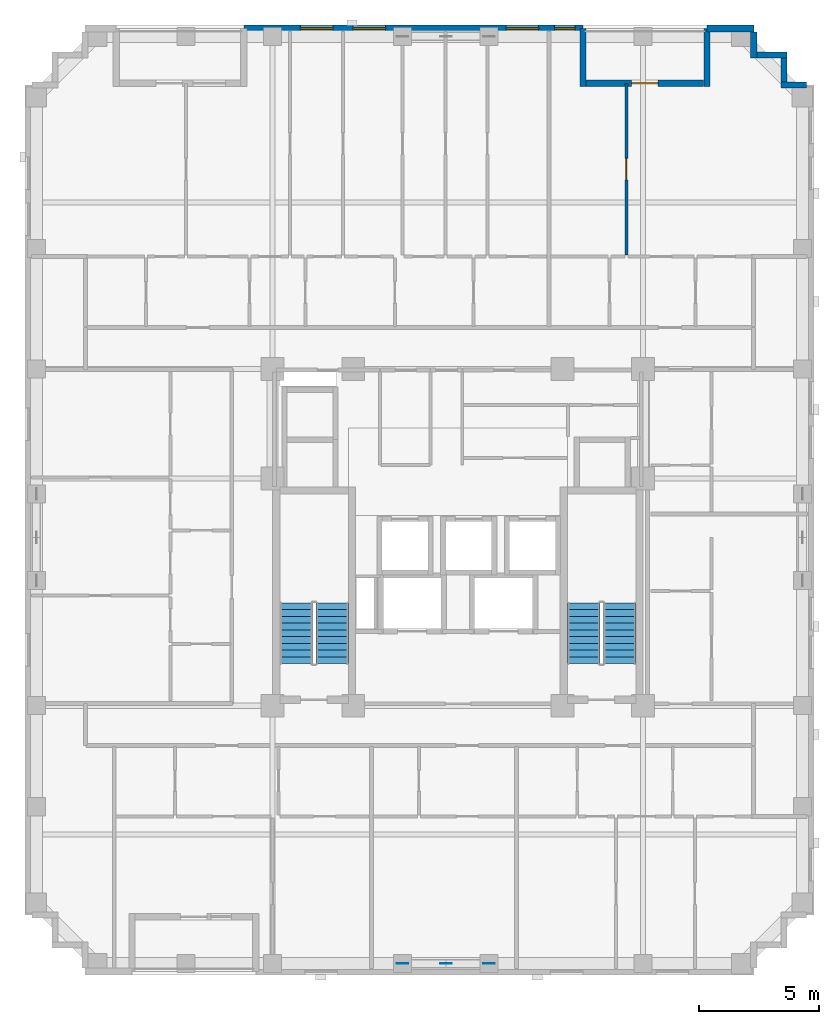
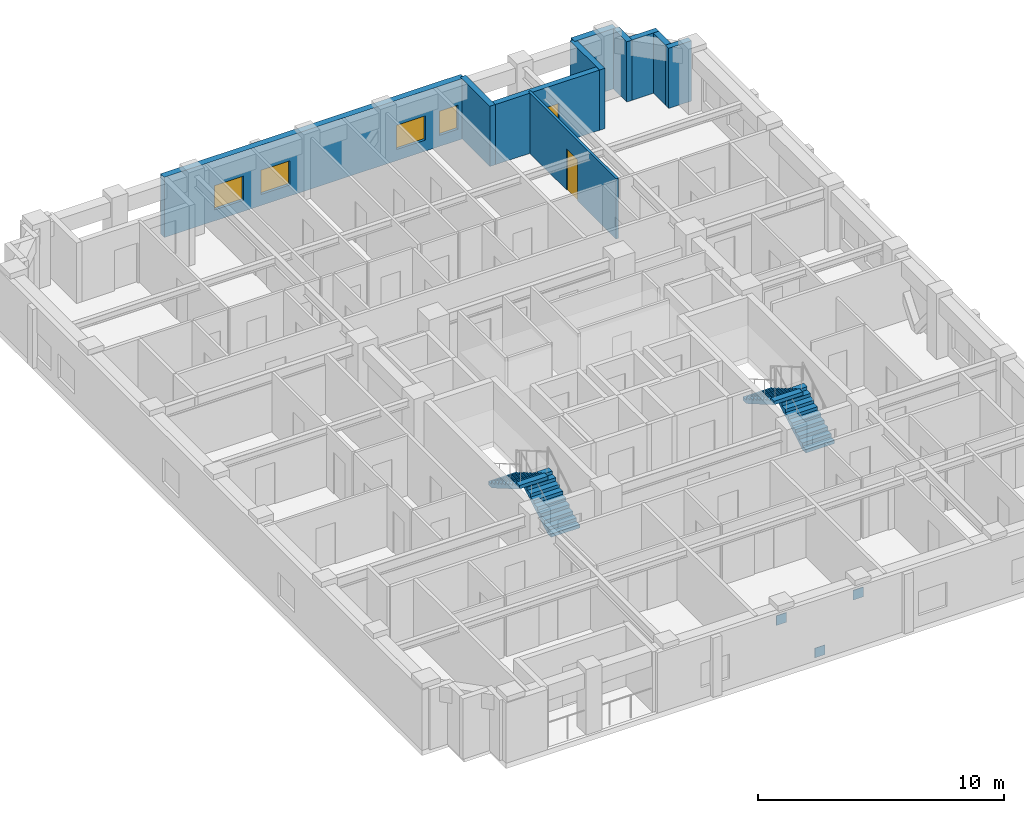
# One storey, part 8 of 11: 10 walls, 4 stair flights, 4 windows, 3 discrete accessories, 2 doors, 6 openings, 2 elements without a shape of their own.
"""IFC4 building model written with IfcOpenShell, lengths in metres."""

from ifc_helpers import new_model, si_unit, derived_unit, direction, frame, frame_2d, origin, origin_2d, place, context, subcontext, project, spatial, polyline, rectangle, outline, extrude, material, layer, layer_set, type_object, element, fill, aggregate, save


model = new_model("IFC4")

# Units and contexts
model_context = context("Model", 3, precision=1e-05, world=origin(), true_north=direction((0.0, 1.0)))
body_context = subcontext(model_context, "Body", "Model", "MODEL_VIEW")
ifc_project = project(units=[si_unit("LENGTHUNIT", "METRE"), si_unit("AREAUNIT", "SQUARE_METRE"), si_unit("VOLUMEUNIT", "CUBIC_METRE"), si_unit("PLANEANGLEUNIT", "RADIAN"), si_unit("MASSUNIT", "GRAM", prefix="KILO"), derived_unit("THERMALTRANSMITTANCEUNIT", [(si_unit("MASSUNIT", "GRAM", prefix="KILO"), 1), (si_unit("TIMEUNIT", "SECOND"), -3), (si_unit("THERMODYNAMICTEMPERATUREUNIT", "KELVIN"), -1)])], contexts=[model_context])

# Site, building, storey
site_placement = place(None, origin())
site = spatial("IfcSite", under=ifc_project, at=site_placement, CompositionType="ELEMENT")
building_placement = place(site_placement, origin())
building = spatial("IfcBuilding", under=site, at=building_placement, Name="Korrvale Station Residences", CompositionType="ELEMENT")
storey_placement = place(building_placement, frame((0.0, 0.0, 137.39990234375)))
storey = spatial("IfcBuildingStorey", under=building, at=storey_placement, Name="L39", CompositionType="ELEMENT", Elevation=137.39990234375)

# Wall
ifc_material_1 = material(Name="Precast concrete C45/55", Category="concrete")
ifc_layer_1 = layer(ifc_material_1, 0.260009765625, Name="Precast concrete C45/55")
ifc_layer_set_1 = layer_set([ifc_layer_1], Name="Precast concrete C45/55")
wall_type_1 = type_object("IfcWallType", Name="WAL-EXT-LOG260", PredefinedType="SOLIDWALL", material=ifc_layer_set_1)
wall_1_placement = place(storey_placement, frame((30.699951171875, 43.139892578125, 0.0), z_axis=(0.0, 0.0, 1.0), x_axis=(0.0, -1.0, 0.0)))
element("IfcWall", 1, at=wall_1_placement, inside=storey, type_object=wall_type_1, Name="L39 Recessed Loggia Wall BAL-L39-N1-L", PredefinedType="SOLIDWALL", context=body_context, shape_type="SweptSolid", body=[
    extrude(rectangle(XDim=2.39990234375, YDim=0.260009765625, at=frame_2d((1.199951171875, 0.0))), origin(), (0.0, 0.0, 1.0), 2.989990234375),
])

# Wall, opening, door
wall_2_placement = place(storey_placement, frame((30.833984375, 40.8701171875, 0.0), z_axis=(0.0, 0.0, 1.0), x_axis=(1.0, 0.0, 0.0)))
wall_2 = element("IfcWall", 2, at=wall_2_placement, inside=storey, type_object=wall_type_1, Name="L39 Recessed Loggia Wall BAL-L39-N1-B", PredefinedType="SOLIDWALL", context=body_context, shape_type="SweptSolid", body=[
    extrude(rectangle(XDim=4.882080078125, YDim=0.260009765625, at=frame_2d((2.44091796875, 0.0))), origin(), (0.0, 0.0, 1.0), 2.989990234375),
])
opening_1_placement = place(wall_2_placement, frame((1.89111328125, 0.0, 0.0)))
opening_1 = element("IfcOpeningElement", 3, at=opening_1_placement, cuts=wall_2, Name="Opening BD-01", PredefinedType="OPENING", context=body_context, shape_type="SweptSolid", body=[
    extrude(rectangle(XDim=1.10009765625, YDim=2.0, at=frame_2d((0.550048828125, 1.0))), frame((0.0, 0.14013671875, 0.0), z_axis=(0.0, -1.0, 0.0), x_axis=(1.0, 0.0, 0.0)), (0.0, 0.0, 1.0), 0.280029296875),
])
ifc_material_2 = material(Name="Exterior thermally broken aluminium glazed balcony door", Category="aluminium")
door_type_1 = type_object("IfcDoorType", Name="DR-EXT-BAL", OperationType="NOTDEFINED", PredefinedType="DOOR", material=ifc_material_2)
door_1_placement = place(opening_1_placement, origin())
door_1 = element("IfcDoor", 4, at=door_1_placement, inside=storey, type_object=door_type_1, Name="L39 Loggia Balcony Door BAL-L39-N1", OperationType="SINGLE_SWING_LEFT", OverallHeight=2.0, OverallWidth=1.10009765625, PredefinedType="DOOR", context=body_context, shape_type="SweptSolid", body=[
    extrude(rectangle(XDim=1.10009765625, YDim=2.0, at=frame_2d((0.550048828125, 1.0))), frame((0.0, 0.02490234375, 0.0), z_axis=(0.0, -1.0, 0.0), x_axis=(1.0, 0.0, 0.0)), (0.0, 0.0, 1.0), 0.050048828125),
])
fill(opening_1, door_1)

# Walls
wall_3_placement = place(storey_placement, frame((35.85009765625, 40.739990234375, 0.0), z_axis=(0.0, 0.0, 1.0), x_axis=(0.0, 1.0, 0.0)))
element("IfcWall", 5, at=wall_3_placement, inside=storey, type_object=wall_type_1, Name="L39 Recessed Loggia Wall BAL-L39-N1-R", PredefinedType="SOLIDWALL", context=body_context, shape_type="SweptSolid", body=[
    extrude(rectangle(XDim=2.39990234375, YDim=0.260009765625, at=frame_2d((1.199951171875, 0.0))), origin(), (0.0, 0.0, 1.0), 2.989990234375),
])
wall_4_placement = place(storey_placement, frame((37.800048828125, 42.998046875, 0.0), z_axis=(0.0, 0.0, 1.0), x_axis=(0.0, -1.0, 0.0)))
element("IfcWall", 6, at=wall_4_placement, inside=storey, type_object=wall_type_1, Name="L39 Serrated Corner Precast Step NE-1", PredefinedType="SOLIDWALL", context=body_context, shape_type="SweptSolid", body=[
    extrude(rectangle(XDim=1.078125, YDim=0.260009765625, at=frame_2d((0.5390625, 0.0))), origin(), (0.0, 0.0, 1.0), 2.989990234375),
])
wall_5_placement = place(storey_placement, frame((37.931884765625, 42.050048828125, 0.0), z_axis=(0.0, 0.0, 1.0), x_axis=(1.0, 0.0, 0.0)))
element("IfcWall", 7, at=wall_5_placement, inside=storey, type_object=wall_type_1, Name="L39 Serrated Corner Precast Step NE-2", PredefinedType="SOLIDWALL", context=body_context, shape_type="SweptSolid", body=[
    extrude(rectangle(XDim=1.248046875, YDim=0.260009765625, at=frame_2d((0.6240234375, 0.0))), origin(), (0.0, 0.0, 1.0), 2.989990234375),
])
wall_6_placement = place(storey_placement, frame((39.050048828125, 41.91796875, 0.0), z_axis=(0.0, 0.0, 1.0), x_axis=(0.0, -1.0, 0.0)))
element("IfcWall", 8, at=wall_6_placement, inside=storey, type_object=wall_type_1, Name="L39 Serrated Corner Precast Step NE-3", PredefinedType="SOLIDWALL", context=body_context, shape_type="SweptSolid", body=[
    extrude(rectangle(XDim=0.986083984375, YDim=0.260009765625, at=frame_2d((0.4931640625, 0.0))), origin(), (0.0, 0.0, 1.0), 2.989990234375),
])
wall_7_placement = place(storey_placement, frame((38.919921875, 40.800048828125, 0.0), z_axis=(0.0, 0.0, 1.0), x_axis=(1.0, 0.0, 0.0)))
element("IfcWall", 9, at=wall_7_placement, inside=storey, type_object=wall_type_1, Name="L39 Serrated Corner Precast Step NE-4", PredefinedType="SOLIDWALL", context=body_context, shape_type="SweptSolid", body=[
    extrude(rectangle(XDim=1.078125, YDim=0.260009765625, at=frame_2d((0.5390625, 0.0))), origin(), (0.0, 0.0, 1.0), 2.989990234375),
])

# Wall, openings, windows
ifc_layer_2 = layer(ifc_material_1, 0.300048828125, Name="Precast concrete C45/55")
ifc_layer_set_2 = layer_set([ifc_layer_2], Name="Precast concrete C45/55")
wall_type_2 = type_object("IfcWallType", Name="WAL-EXT-PC300", PredefinedType="SOLIDWALL", material=ifc_layer_set_2)
wall_8_placement = place(storey_placement, frame((16.60009765625, 43.14990234375, 0.0), z_axis=(0.0, 0.0, 1.0), x_axis=(1.0, 0.0, 0.0)))
wall_8 = element("IfcWall", 10, at=wall_8_placement, inside=storey, type_object=wall_type_2, Name="L39 North Exterior Precast Wall 2", PredefinedType="SOLIDWALL", context=body_context, shape_type="SweptSolid", body=[
    extrude(rectangle(XDim=14.099853515625, YDim=0.300048828125, at=frame_2d((7.0498046875, 0.0))), origin(), (0.0, 0.0, 1.0), 2.989990234375),
])
opening_2_placement = place(wall_8_placement, frame((2.35693359375, 0.0, 0.550048828125)))
opening_2 = element("IfcOpeningElement", 11, at=opening_2_placement, cuts=wall_8, Name="Opening W-10", PredefinedType="OPENING", context=body_context, shape_type="SweptSolid", body=[
    extrude(rectangle(XDim=1.35009765625, YDim=1.199951171875, at=frame_2d((0.675048828125, 0.60009765625))), frame((0.0, 0.16015625, 0.0), z_axis=(0.0, -1.0, 0.0), x_axis=(1.0, 0.0, 0.0)), (0.0, 0.0, 1.0), 0.320068359375),
])
opening_3_placement = place(wall_8_placement, frame((4.550048828125, 0.0, 0.550048828125)))
opening_3 = element("IfcOpeningElement", 12, at=opening_3_placement, cuts=wall_8, Name="Opening W-10", PredefinedType="OPENING", context=body_context, shape_type="SweptSolid", body=[
    extrude(rectangle(XDim=1.35009765625, YDim=1.199951171875, at=frame_2d((0.675048828125, 0.60009765625))), frame((0.0, 0.16015625, 0.0), z_axis=(0.0, -1.0, 0.0), x_axis=(1.0, 0.0, 0.0)), (0.0, 0.0, 1.0), 0.320068359375),
])
opening_4_placement = place(wall_8_placement, frame((10.89990234375, 0.0, 0.550048828125)))
opening_4 = element("IfcOpeningElement", 13, at=opening_4_placement, cuts=wall_8, Name="Opening W-10", PredefinedType="OPENING", context=body_context, shape_type="SweptSolid", body=[
    extrude(rectangle(XDim=1.35009765625, YDim=1.199951171875, at=frame_2d((0.675048828125, 0.60009765625))), frame((0.0, 0.16015625, 0.0), z_axis=(0.0, -1.0, 0.0), x_axis=(1.0, 0.0, 0.0)), (0.0, 0.0, 1.0), 0.320068359375),
])
opening_5_placement = place(wall_8_placement, frame((12.923095703125, 0.0, 0.550048828125)))
opening_5 = element("IfcOpeningElement", 14, at=opening_5_placement, cuts=wall_8, Name="Opening W-11", PredefinedType="OPENING", context=body_context, shape_type="SweptSolid", body=[
    extrude(rectangle(XDim=0.85009765625, YDim=1.199951171875, at=frame_2d((0.425048828125, 0.60009765625))), frame((0.0, 0.16015625, 0.0), z_axis=(0.0, -1.0, 0.0), x_axis=(1.0, 0.0, 0.0)), (0.0, 0.0, 1.0), 0.320068359375),
])
ifc_material_3 = material(Name="Thermally broken aluminium frame with triple low-e glazing", Category="aluminium")
window_type_1 = type_object("IfcWindowType", Name="WIN-W10", PartitioningType="SINGLE_PANEL", PredefinedType="WINDOW", material=ifc_material_3)
window_1_placement = place(opening_2_placement, origin())
window_1 = element("IfcWindow", 15, at=window_1_placement, inside=storey, type_object=window_type_1, Name="L39 Punched Window 09", OverallHeight=1.199951171875, OverallWidth=1.35009765625, PartitioningType="SINGLE_PANEL", PredefinedType="WINDOW", context=body_context, shape_type="SweptSolid", body=[
    extrude(rectangle(XDim=1.35009765625, YDim=1.199951171875, at=frame_2d((0.675048828125, 0.60009765625))), frame((0.0, 0.030029296875, 0.0), z_axis=(0.0, -1.0, 0.0), x_axis=(1.0, 0.0, 0.0)), (0.0, 0.0, 1.0), 0.06005859375),
])
fill(opening_2, window_1)
window_2_placement = place(opening_3_placement, origin())
window_2 = element("IfcWindow", 16, at=window_2_placement, inside=storey, type_object=window_type_1, Name="L39 Punched Window 10", OverallHeight=1.199951171875, OverallWidth=1.35009765625, PartitioningType="SINGLE_PANEL", PredefinedType="WINDOW", context=body_context, shape_type="SweptSolid", body=[
    extrude(rectangle(XDim=1.35009765625, YDim=1.199951171875, at=frame_2d((0.675048828125, 0.60009765625))), frame((0.0, 0.030029296875, 0.0), z_axis=(0.0, -1.0, 0.0), x_axis=(1.0, 0.0, 0.0)), (0.0, 0.0, 1.0), 0.06005859375),
])
fill(opening_3, window_2)
window_3_placement = place(opening_4_placement, origin())
window_3 = element("IfcWindow", 17, at=window_3_placement, inside=storey, type_object=window_type_1, Name="L39 Punched Window 11", OverallHeight=1.199951171875, OverallWidth=1.35009765625, PartitioningType="SINGLE_PANEL", PredefinedType="WINDOW", context=body_context, shape_type="SweptSolid", body=[
    extrude(rectangle(XDim=1.35009765625, YDim=1.199951171875, at=frame_2d((0.675048828125, 0.60009765625))), frame((0.0, 0.030029296875, 0.0), z_axis=(0.0, -1.0, 0.0), x_axis=(1.0, 0.0, 0.0)), (0.0, 0.0, 1.0), 0.06005859375),
])
fill(opening_4, window_3)
window_type_2 = type_object("IfcWindowType", Name="WIN-W11", PartitioningType="SINGLE_PANEL", PredefinedType="WINDOW", material=ifc_material_3)
window_4_placement = place(opening_5_placement, origin())
window_4 = element("IfcWindow", 18, at=window_4_placement, inside=storey, type_object=window_type_2, Name="L39 Punched Window 12", OverallHeight=1.199951171875, OverallWidth=0.85009765625, PartitioningType="SINGLE_PANEL", PredefinedType="WINDOW", context=body_context, shape_type="SweptSolid", body=[
    extrude(rectangle(XDim=0.85009765625, YDim=1.199951171875, at=frame_2d((0.425048828125, 0.60009765625))), frame((0.0, 0.030029296875, 0.0), z_axis=(0.0, -1.0, 0.0), x_axis=(1.0, 0.0, 0.0)), (0.0, 0.0, 1.0), 0.06005859375),
])
fill(opening_5, window_4)

# Wall
wall_9_placement = place(storey_placement, frame((35.85009765625, 43.14990234375, 0.0), z_axis=(0.0, 0.0, 1.0), x_axis=(1.0, 0.0, 0.0)))
element("IfcWall", 19, at=wall_9_placement, inside=storey, type_object=wall_type_2, Name="L39 North Exterior Precast Wall 3", PredefinedType="SOLIDWALL", context=body_context, shape_type="SweptSolid", body=[
    extrude(rectangle(XDim=1.949951171875, YDim=0.300048828125, at=frame_2d((0.97509765625, 0.0))), origin(), (0.0, 0.0, 1.0), 2.989990234375),
])

# Wall, opening, door
ifc_material_4 = material(Name="Acoustic steel-stud gypsum board partition", Category="steel")
ifc_layer_3 = layer(ifc_material_4, 0.1201171875, Name="Acoustic steel-stud gypsum board partition")
ifc_layer_set_3 = layer_set([ifc_layer_3], Name="Acoustic steel-stud gypsum board partition")
wall_type_3 = type_object("IfcWallType", Name="WAL-PART-125", PredefinedType="PARTITIONING", material=ifc_layer_set_3)
wall_10_placement = place(storey_placement, frame((32.5029296875, 33.72998046875, 0.0), z_axis=(0.0, 0.0, 1.0), x_axis=(0.0, 1.0, 0.0)))
wall_10 = element("IfcWall", 20, at=wall_10_placement, inside=storey, type_object=wall_type_3, Name="L39 Suite Partition U05-V34", PredefinedType="PARTITIONING", context=body_context, shape_type="SweptSolid", body=[
    extrude(rectangle(XDim=7.14013671875, YDim=0.1201171875, at=frame_2d((3.570068359375, 0.0))), origin(), (0.0, 0.0, 1.0), 2.989990234375),
])
opening_6_placement = place(wall_10_placement, frame((3.1201171875, 0.0, 0.0)))
opening_6 = element("IfcOpeningElement", 21, at=opening_6_placement, cuts=wall_10, Name="Opening DI-900", PredefinedType="OPENING", context=body_context, shape_type="SweptSolid", body=[
    extrude(rectangle(XDim=0.89990234375, YDim=2.050048828125, at=frame_2d((0.449951171875, 1.02490234375))), frame((0.0, 0.070068359375, 0.0), z_axis=(0.0, -1.0, 0.0), x_axis=(1.0, 0.0, 0.0)), (0.0, 0.0, 1.0), 0.14013671875),
])
ifc_material_5 = material(Name="Painted solid-core timber interior room door", Category="wood")
door_type_2 = type_object("IfcDoorType", Name="DR-INT-900", OperationType="NOTDEFINED", PredefinedType="DOOR", material=ifc_material_5)
door_2_placement = place(opening_6_placement, origin())
door_2 = element("IfcDoor", 22, at=door_2_placement, inside=storey, type_object=door_type_2, Name="L39 Studio Apartment L39-U05 Formal Dining Room Door", OperationType="SINGLE_SWING_LEFT", OverallHeight=2.050048828125, OverallWidth=0.89990234375, PredefinedType="DOOR", context=body_context, shape_type="SweptSolid", body=[
    extrude(rectangle(XDim=0.89990234375, YDim=2.050048828125, at=frame_2d((0.449951171875, 1.02490234375))), frame((0.0, 0.02490234375, 0.0), z_axis=(0.0, -1.0, 0.0), x_axis=(1.0, 0.0, 0.0)), (0.0, 0.0, 1.0), 0.050048828125),
])
fill(opening_6, door_2)

# Stair, stair flights
ifc_material_6 = material(Name="Concrete C50/60", Category="concrete")
stair_type = type_object("IfcStairType", Name="STR-DL-1350-20R-1625", PredefinedType="HALF_TURN_STAIR", material=ifc_material_6)
stair_1_placement = place(storey_placement, origin())
stair_1 = element("IfcStair", 23, at=stair_1_placement, inside=storey, type_object=stair_type, Name="L39 Exit Stair 1", PredefinedType="HALF_TURN_STAIR")
stair_flight_type = type_object("IfcStairFlightType", Name="FLT-DL-1350-20R-1625", PredefinedType="STRAIGHT", material=ifc_material_6)
stair_flight_1_placement = place(storey_placement, frame((20.27490234375, 16.75, 0.0), z_axis=(0.0, 0.0, 1.0), x_axis=(0.0, 1.0, 0.0)))
stair_flight_1 = element("IfcStairFlight", 24, at=stair_flight_1_placement, type_object=stair_flight_type, Name="ST-1 flight 1", NumberOfRisers=10, NumberOfTreads=9, PredefinedType="STRAIGHT", RiserHeight=0.1625, TreadLength=0.28, context=body_context, shape_type="SweptSolid", body=[
    extrude(outline(polyline([(0.0, 0.0), (0.0, 0.16259765625), (0.280029296875, 0.16259765625), (0.280029296875, 0.324951171875), (0.56005859375, 0.324951171875), (0.56005859375, 0.487548828125), (0.840087890625, 0.487548828125), (0.840087890625, 0.64990234375), (1.1201171875, 0.64990234375), (1.1201171875, 0.8125), (1.39990234375, 0.8125), (1.39990234375, 0.97509765625), (1.679931640625, 0.97509765625), (1.679931640625, 1.137451171875), (1.9599609375, 1.137451171875), (1.9599609375, 1.300048828125), (2.239990234375, 1.300048828125), (2.239990234375, 1.46240234375), (2.52001953125, 1.46240234375), (2.52001953125, 1.625), (2.52001953125, 1.2890625), (0.298583984375, 0.0), (0.0, 0.0)])), frame((0.0, 0.675048828125, 0.0), z_axis=(0.0, -1.0, 0.0), x_axis=(1.0, 0.0, 0.0)), (0.0, 0.0, 1.0), 1.35009765625),
])
stair_flight_2_placement = place(storey_placement, frame((18.77490234375, 19.27001953125, 1.625), z_axis=(0.0, 0.0, 1.0), x_axis=(0.0, -1.0, 0.0)))
stair_flight_2 = element("IfcStairFlight", 25, at=stair_flight_2_placement, type_object=stair_flight_type, Name="ST-1 flight 2", NumberOfRisers=10, NumberOfTreads=9, PredefinedType="STRAIGHT", RiserHeight=0.1625, TreadLength=0.28, context=body_context, shape_type="SweptSolid", body=[
    extrude(outline(polyline([(0.0, 0.0), (0.0, 0.16259765625), (0.280029296875, 0.16259765625), (0.280029296875, 0.324951171875), (0.56005859375, 0.324951171875), (0.56005859375, 0.487548828125), (0.840087890625, 0.487548828125), (0.840087890625, 0.64990234375), (1.1201171875, 0.64990234375), (1.1201171875, 0.8125), (1.39990234375, 0.8125), (1.39990234375, 0.97509765625), (1.679931640625, 0.97509765625), (1.679931640625, 1.137451171875), (1.9599609375, 1.137451171875), (1.9599609375, 1.300048828125), (2.239990234375, 1.300048828125), (2.239990234375, 1.46240234375), (2.52001953125, 1.46240234375), (2.52001953125, 1.625), (2.52001953125, 1.2890625), (0.298583984375, 0.0), (0.0, 0.0)])), frame((0.0, 0.675048828125, 0.0), z_axis=(0.0, -1.0, 0.0), x_axis=(1.0, 0.0, 0.0)), (0.0, 0.0, 1.0), 1.35009765625),
])
aggregate(stair_1, [stair_flight_1, stair_flight_2])

stair_2_placement = place(storey_placement, origin())
stair_2 = element("IfcStair", 26, at=stair_2_placement, inside=storey, type_object=stair_type, Name="L39 Exit Stair 2", PredefinedType="HALF_TURN_STAIR")
stair_flight_3_placement = place(storey_placement, frame((32.22509765625, 16.75, 0.0), z_axis=(0.0, 0.0, 1.0), x_axis=(0.0, 1.0, 0.0)))
stair_flight_3 = element("IfcStairFlight", 27, at=stair_flight_3_placement, type_object=stair_flight_type, Name="ST-2 flight 1", NumberOfRisers=10, NumberOfTreads=9, PredefinedType="STRAIGHT", RiserHeight=0.1625, TreadLength=0.28, context=body_context, shape_type="SweptSolid", body=[
    extrude(outline(polyline([(0.0, 0.0), (0.0, 0.16259765625), (0.280029296875, 0.16259765625), (0.280029296875, 0.324951171875), (0.56005859375, 0.324951171875), (0.56005859375, 0.487548828125), (0.840087890625, 0.487548828125), (0.840087890625, 0.64990234375), (1.1201171875, 0.64990234375), (1.1201171875, 0.8125), (1.39990234375, 0.8125), (1.39990234375, 0.97509765625), (1.679931640625, 0.97509765625), (1.679931640625, 1.137451171875), (1.9599609375, 1.137451171875), (1.9599609375, 1.300048828125), (2.239990234375, 1.300048828125), (2.239990234375, 1.46240234375), (2.52001953125, 1.46240234375), (2.52001953125, 1.625), (2.52001953125, 1.2890625), (0.298583984375, 0.0), (0.0, 0.0)])), frame((0.0, 0.675048828125, 0.0), z_axis=(0.0, -1.0, 0.0), x_axis=(1.0, 0.0, 0.0)), (0.0, 0.0, 1.0), 1.35009765625),
])
stair_flight_4_placement = place(storey_placement, frame((30.72509765625, 19.27001953125, 1.625), z_axis=(0.0, 0.0, 1.0), x_axis=(0.0, -1.0, 0.0)))
stair_flight_4 = element("IfcStairFlight", 28, at=stair_flight_4_placement, type_object=stair_flight_type, Name="ST-2 flight 2", NumberOfRisers=10, NumberOfTreads=9, PredefinedType="STRAIGHT", RiserHeight=0.1625, TreadLength=0.28, context=body_context, shape_type="SweptSolid", body=[
    extrude(outline(polyline([(0.0, 0.0), (0.0, 0.16259765625), (0.280029296875, 0.16259765625), (0.280029296875, 0.324951171875), (0.56005859375, 0.324951171875), (0.56005859375, 0.487548828125), (0.840087890625, 0.487548828125), (0.840087890625, 0.64990234375), (1.1201171875, 0.64990234375), (1.1201171875, 0.8125), (1.39990234375, 0.8125), (1.39990234375, 0.97509765625), (1.679931640625, 0.97509765625), (1.679931640625, 1.137451171875), (1.9599609375, 1.137451171875), (1.9599609375, 1.300048828125), (2.239990234375, 1.300048828125), (2.239990234375, 1.46240234375), (2.52001953125, 1.46240234375), (2.52001953125, 1.625), (2.52001953125, 1.2890625), (0.298583984375, 0.0), (0.0, 0.0)])), frame((0.0, 0.675048828125, 0.0), z_axis=(0.0, -1.0, 0.0), x_axis=(1.0, 0.0, 0.0)), (0.0, 0.0, 1.0), 1.35009765625),
])
aggregate(stair_2, [stair_flight_3, stair_flight_4])

# Discrete accessories
ifc_material_7 = material(Name="Steel S355", Category="steel")
ifc_layer_4 = layer(ifc_material_7, 0.02490234375, Name="Steel S355")
ifc_layer_set_4 = layer_set([ifc_layer_4], Name="Steel S355")
discrete_accessory_type = type_object("IfcDiscreteAccessoryType", Name="ACC-GUSSET-25", PredefinedType="BRACKET", material=ifc_layer_set_4)
for number, where, z_axis, x_axis, name in (
    (29, (25.0, 4.280029296875, -0.219970703125), (0.0, 0.0, 1.0), (1.0, 0.0, 0.0), "L39 S Brace End Gusset Connection M"),
    (30, (23.199951171875, 4.280029296875, 2.02001953125), (0.0, 0.0, 1.0), (1.0, 0.0, 0.0), "L39 S Brace End Gusset Connection A"),
    (31, (26.800048828125, 4.280029296875, 2.02001953125), (0.0, 0.0, 1.0), (1.0, 0.0, 0.0), "L39 S Brace End Gusset Connection B"),
):
    element("IfcDiscreteAccessory", number, at=place(storey_placement, frame(where, z_axis=z_axis, x_axis=x_axis)), inside=storey, type_object=discrete_accessory_type, Name=name, PredefinedType="BRACKET", context=body_context, shape_type="SweptSolid", body=[
        extrude(rectangle(XDim=0.47998046875, YDim=0.02490234375, at=origin_2d()), origin(), (0.0, 0.0, 1.0), 0.47998046875),
    ])

save(model, "model.ifc")
